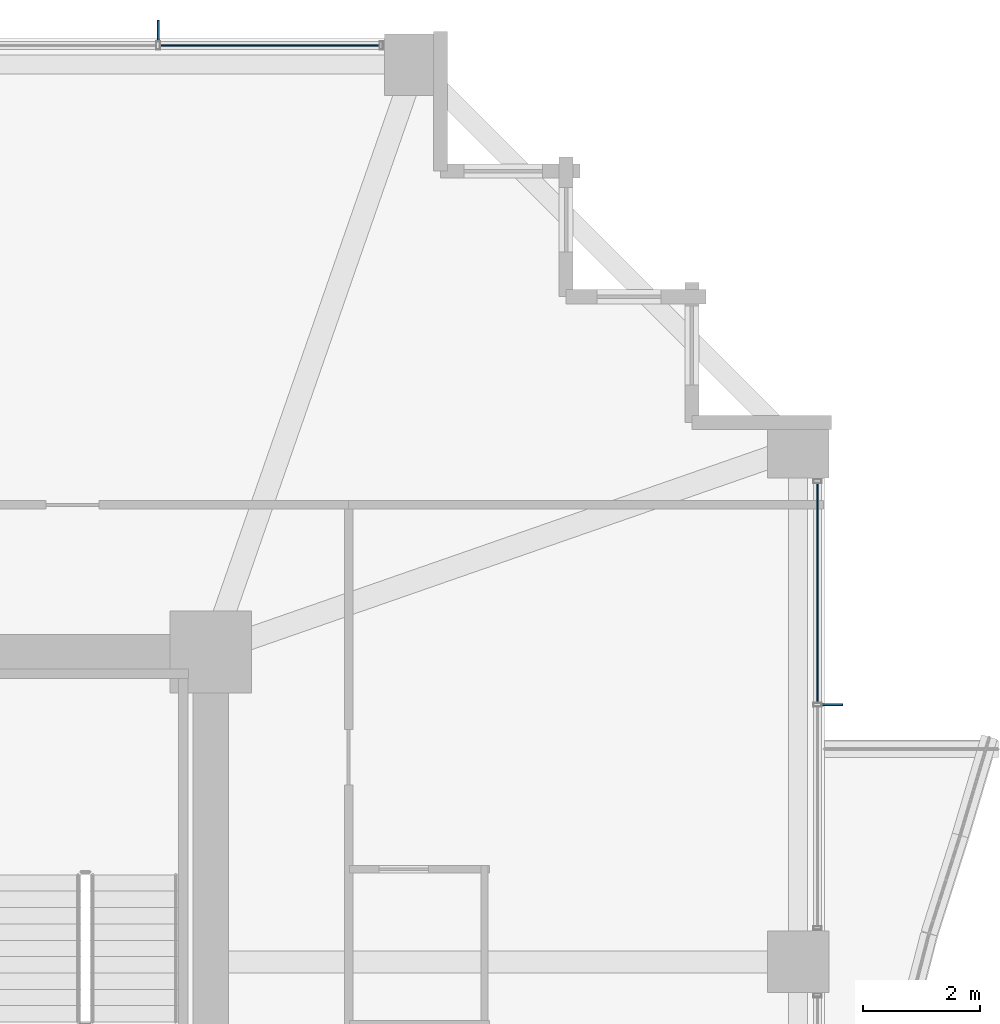
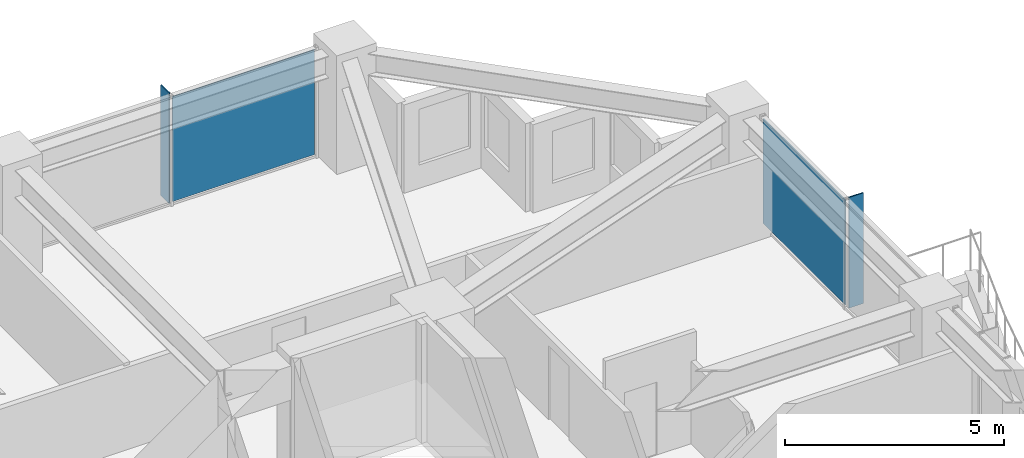
# One storey, part 30 of 38: 4 plates, 2 elements without a shape of their own.
"""IFC4 building model written with IfcOpenShell, lengths in metres."""

from ifc_helpers import new_model, si_unit, direction, frame, origin, origin_2d, place, context, subcontext, project, spatial, rectangle, extrude, material, layer, layer_set, type_object, element, aggregate, save


model = new_model("IFC4")

# Units and contexts
model_context = context("Model", 3, precision=1e-05, world=origin(), true_north=direction((0.0, 1.0)))
body_context = subcontext(model_context, "Body", "Model", "MODEL_VIEW")
ifc_project = project(units=[si_unit("LENGTHUNIT", "METRE"), si_unit("AREAUNIT", "SQUARE_METRE"), si_unit("VOLUMEUNIT", "CUBIC_METRE"), si_unit("PLANEANGLEUNIT", "RADIAN"), si_unit("MASSUNIT", "GRAM", prefix="KILO")], contexts=[model_context])

# Site, building, storey
site_placement = place(None, origin())
site = spatial("IfcSite", under=ifc_project, at=site_placement, CompositionType="ELEMENT")
building_placement = place(site_placement, origin())
building = spatial("IfcBuilding", under=site, at=building_placement, Name="Kolvaren Belvedere", CompositionType="ELEMENT")
storey_placement = place(building_placement, frame((0.0, 0.0, 101.89990234375)))
storey = spatial("IfcBuildingStorey", under=building, at=storey_placement, Name="L29", CompositionType="ELEMENT", Elevation=101.89990234375)

# Curtain wall, plate
ifc_material_1 = material(Name="Anodised pale-metal aluminium AA 6063-T6", Category="aluminium")
curtain_wall_type = type_object("IfcCurtainWallType", Name="CW-Z2-MID", PredefinedType="NOTDEFINED", material=ifc_material_1)
curtain_wall_1_placement = place(storey_placement, origin())
curtain_wall_1 = element("IfcCurtainWall", 1, at=curtain_wall_1_placement, inside=storey, type_object=curtain_wall_type, Name="L29 Unitised Curtain Wall FCW-L29-E1-B1", PredefinedType="NOTDEFINED")
ifc_material_2 = material(Name="Low-iron triple insulated glass", Category="glass")
ifc_layer_1 = layer(ifc_material_2, 0.028076171875)
ifc_layer_set_1 = layer_set([ifc_layer_1], Name="Low-iron triple insulated glass")
plate_type_1 = type_object("IfcPlateType", Name="CW-PNL-VIS28", PredefinedType="CURTAIN_PANEL", material=ifc_layer_set_1)
plate_1_placement = place(storey_placement, frame((20.280029296875, 10.9111328125, 0.080078125), z_axis=(0.0, 0.0, 1.0), x_axis=(0.0, -1.0, 0.0)))
plate_1 = element("IfcPlate", 2, at=plate_1_placement, type_object=plate_type_1, Name="FCW-L29-E1-B1 Vision Glazing Panel 1", PredefinedType="CURTAIN_PANEL", context=body_context, shape_type="SweptSolid", body=[
    extrude(rectangle(XDim=3.742431640625, YDim=0.028076171875, at=origin_2d()), origin(), (0.0, 0.0, 1.0), 2.919921875),
])
aggregate(curtain_wall_1, [plate_1])

curtain_wall_2_placement = place(storey_placement, origin())
curtain_wall_2 = element("IfcCurtainWall", 3, at=curtain_wall_2_placement, inside=storey, type_object=curtain_wall_type, Name="L29 Unitised Curtain Wall FCW-L29-N-B3", PredefinedType="NOTDEFINED")
plate_2_placement = place(storey_placement, frame((10.9111328125, 20.280029296875, 0.080078125), z_axis=(0.0, 0.0, 1.0), x_axis=(1.0, 0.0, 0.0)))
plate_2 = element("IfcPlate", 4, at=plate_2_placement, type_object=plate_type_1, Name="FCW-L29-N-B3 Vision Glazing Panel 2", PredefinedType="CURTAIN_PANEL", context=body_context, shape_type="SweptSolid", body=[
    extrude(rectangle(XDim=3.742431640625, YDim=0.028076171875, at=origin_2d()), origin(), (0.0, 0.0, 1.0), 2.919921875),
])
aggregate(curtain_wall_2, [plate_2])

# Plates
ifc_material_3 = material(Name="Anodised pale-metal aluminium AA 6063-T6", Category="aluminium")
ifc_layer_2 = layer(ifc_material_3, 0.033935546875)
ifc_layer_set_2 = layer_set([ifc_layer_2], Name="Anodised pale-metal aluminium AA 6063-T6")
plate_type_2 = type_object("IfcPlateType", Name="FIN-VERT-380", PredefinedType="USERDEFINED", material=ifc_layer_set_2)
for number, where, z_axis, x_axis, name in (
    (5, (20.52490234375, 9.0, 0.0), (0.0, 0.0, 1.0), (1.0, 0.0, 0.0), "L29 Pale-Metal Vertical Shading Fin FCW-L29-E1-B1-1"),
    (6, (9.0, 20.52490234375, 0.0), (0.0, 0.0, 1.0), (0.0, 1.0, 0.0), "L29 Pale-Metal Vertical Shading Fin FCW-L29-N-B3-1"),
):
    element("IfcPlate", number, at=place(storey_placement, frame(where, z_axis=z_axis, x_axis=x_axis)), inside=storey, type_object=plate_type_2, Name=name, ObjectType="VERTICAL FIN", PredefinedType="USERDEFINED", context=body_context, shape_type="SweptSolid", body=[
        extrude(rectangle(XDim=0.3798828125, YDim=0.033935546875, at=origin_2d()), origin(), (0.0, 0.0, 1.0), 3.080078125),
    ])

save(model, "model.ifc")
